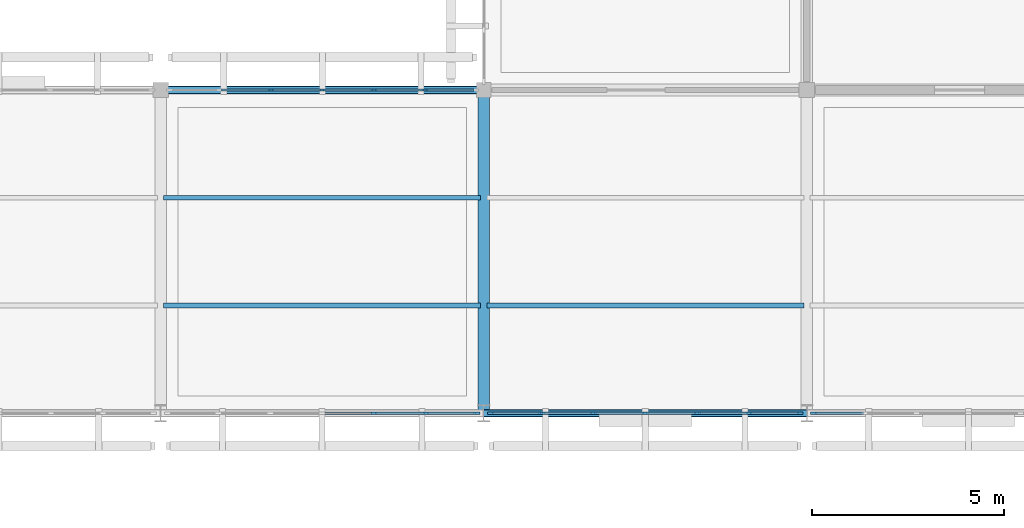
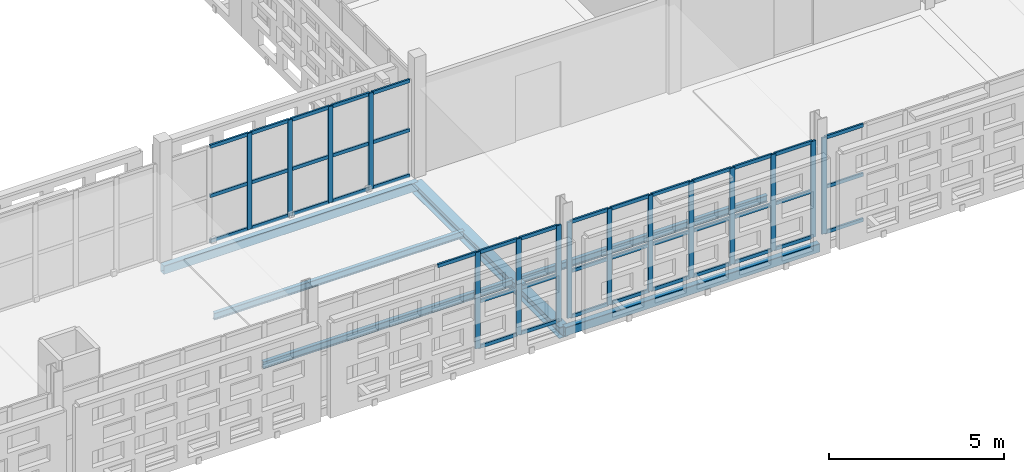
# One storey, part 47 of 166: 58 members, 6 beams, 4 elements without a shape of their own.
"""IFC4 building model written with IfcOpenShell, lengths in metres."""

from ifc_helpers import new_model, si_unit, direction, frame, origin, origin_2d, place, context, subcontext, project, spatial, rectangle, hollow_rectangle, i_section, extrude, material, layer, layer_set, material_profile, profile_set, type_object, element, aggregate, save


model = new_model("IFC4")

# Units and contexts
model_context = context("Model", 3, precision=1e-05, world=origin(), true_north=direction((0.0, 1.0)))
body_context = subcontext(model_context, "Body", "Model", "MODEL_VIEW")
ifc_project = project(units=[si_unit("LENGTHUNIT", "METRE"), si_unit("AREAUNIT", "SQUARE_METRE"), si_unit("VOLUMEUNIT", "CUBIC_METRE"), si_unit("PLANEANGLEUNIT", "RADIAN"), si_unit("MASSUNIT", "GRAM", prefix="KILO")], contexts=[model_context])

# Site, building, storey
site_placement = place(None, origin())
site = spatial("IfcSite", under=ifc_project, at=site_placement, CompositionType="ELEMENT")
building_placement = place(site_placement, origin())
building = spatial("IfcBuilding", under=site, at=building_placement, Name="Varnapada Polytechnic", CompositionType="ELEMENT")
storey_placement = place(building_placement, frame((0.0, 0.0, 9.60009765625)))
storey = spatial("IfcBuildingStorey", under=building, at=storey_placement, Name="L02", CompositionType="ELEMENT", Elevation=9.60009765625)

# Curtain wall, members
ifc_material_1 = material(Name="Double low-E laminated glass", Category="glass")
ifc_layer_1 = layer(ifc_material_1, 0.159912109375)
ifc_layer_set_1 = layer_set([ifc_layer_1], Name="Double low-E laminated glass")
curtain_wall_type_1 = type_object("IfcCurtainWallType", Name="Curtain Wall CW-01", PredefinedType="NOTDEFINED", material=ifc_layer_set_1)
curtain_wall_1_placement = place(storey_placement, origin())
curtain_wall_1 = element("IfcCurtainWall", 1, at=curtain_wall_1_placement, inside=storey, type_object=curtain_wall_type_1, Name="L02 unitised curtain wall CW-01 (173)", PredefinedType="NOTDEFINED")
ifc_material_2 = material(Name="Anodised aluminium", Category="aluminium")
ifc_material_profile_1 = material_profile(ifc_material_2, rectangle(XDim=0.06005859375, YDim=0.159912109375, at=origin_2d()), Name="ALU M60x160")
ifc_profile_set_1 = profile_set([ifc_material_profile_1], Name="Anodised aluminium")
member_type_1 = type_object("IfcMemberType", Name="Mullion M-01", PredefinedType="MULLION", material=ifc_profile_set_1)
member_1_placement = place(storey_placement, frame((117.419921875, 84.0, 0.0), z_axis=(0.0, 0.0, 1.0), x_axis=(0.0, -1.0, 0.0)))
member_1 = element("IfcMember", 2, at=member_1_placement, type_object=member_type_1, Name="CW-01 mullion 1", PredefinedType="MULLION", context=body_context, shape_type="SweptSolid", body=[
    extrude(rectangle(XDim=0.06005859375, YDim=0.159912109375, at=origin_2d()), origin(), (0.0, 0.0, 1.0), 3.35986328125),
])
member_2_placement = place(storey_placement, frame((116.10009765625, 84.0, 0.0), z_axis=(0.0, 0.0, 1.0), x_axis=(0.0, -1.0, 0.0)))
member_2 = element("IfcMember", 3, at=member_2_placement, type_object=member_type_1, Name="CW-01 mullion 2", PredefinedType="MULLION", context=body_context, shape_type="SweptSolid", body=[
    extrude(rectangle(XDim=0.06005859375, YDim=0.159912109375, at=origin_2d()), origin(), (0.0, 0.0, 1.0), 3.35986328125),
])
member_3_placement = place(storey_placement, frame((114.75, 84.0, 0.0), z_axis=(0.0, 0.0, 1.0), x_axis=(0.0, -1.0, 0.0)))
member_3 = element("IfcMember", 4, at=member_3_placement, type_object=member_type_1, Name="CW-01 mullion 3", PredefinedType="MULLION", context=body_context, shape_type="SweptSolid", body=[
    extrude(rectangle(XDim=0.06005859375, YDim=0.159912109375, at=origin_2d()), origin(), (0.0, 0.0, 1.0), 3.35986328125),
])

ifc_layer_2 = layer(ifc_material_1, 0.159912109375)
ifc_layer_set_2 = layer_set([ifc_layer_2], Name="Double low-E laminated glass")
curtain_wall_type_2 = type_object("IfcCurtainWallType", Name="Curtain Wall CW-02", PredefinedType="NOTDEFINED", material=ifc_layer_set_2)
curtain_wall_2_placement = place(storey_placement, origin())
curtain_wall_2 = element("IfcCurtainWall", 5, at=curtain_wall_2_placement, inside=storey, type_object=curtain_wall_type_2, Name="L02 unitised curtain wall CW-02 (174)", PredefinedType="NOTDEFINED")
member_4_placement = place(storey_placement, frame((112.070068359375, 92.39990234375, 0.0), z_axis=(0.0, 0.0, 1.0), x_axis=(0.0, 1.0, 0.0)))
member_4 = element("IfcMember", 6, at=member_4_placement, type_object=member_type_1, Name="CW-02 mullion 3", PredefinedType="MULLION", context=body_context, shape_type="SweptSolid", body=[
    extrude(rectangle(XDim=0.06005859375, YDim=0.159912109375, at=origin_2d()), origin(), (0.0, 0.0, 1.0), 3.35986328125),
])
member_5_placement = place(storey_placement, frame((113.405029296875, 92.39990234375, 0.0), z_axis=(0.0, 0.0, 1.0), x_axis=(0.0, 1.0, 0.0)))
member_5 = element("IfcMember", 7, at=member_5_placement, type_object=member_type_1, Name="CW-02 mullion 4", PredefinedType="MULLION", context=body_context, shape_type="SweptSolid", body=[
    extrude(rectangle(XDim=0.06005859375, YDim=0.159912109375, at=origin_2d()), origin(), (0.0, 0.0, 1.0), 3.35986328125),
])
member_6_placement = place(storey_placement, frame((114.739990234375, 92.39990234375, 0.0), z_axis=(0.0, 0.0, 1.0), x_axis=(0.0, 1.0, 0.0)))
member_6 = element("IfcMember", 8, at=member_6_placement, type_object=member_type_1, Name="CW-02 mullion 5", PredefinedType="MULLION", context=body_context, shape_type="SweptSolid", body=[
    extrude(rectangle(XDim=0.06005859375, YDim=0.159912109375, at=origin_2d()), origin(), (0.0, 0.0, 1.0), 3.35986328125),
])
member_7_placement = place(storey_placement, frame((116.074951171875, 92.39990234375, 0.0), z_axis=(0.0, 0.0, 1.0), x_axis=(0.0, 1.0, 0.0)))
member_7 = element("IfcMember", 9, at=member_7_placement, type_object=member_type_1, Name="CW-02 mullion 6", PredefinedType="MULLION", context=body_context, shape_type="SweptSolid", body=[
    extrude(rectangle(XDim=0.06005859375, YDim=0.159912109375, at=origin_2d()), origin(), (0.0, 0.0, 1.0), 3.35986328125),
])

curtain_wall_3_placement = place(storey_placement, origin())
curtain_wall_3 = element("IfcCurtainWall", 10, at=curtain_wall_3_placement, inside=storey, type_object=curtain_wall_type_1, Name="L02 unitised curtain wall CW-01 (175)", PredefinedType="NOTDEFINED")
member_8_placement = place(storey_placement, frame((125.820068359375, 84.0, 0.0), z_axis=(0.0, 0.0, 1.0), x_axis=(0.0, -1.0, 0.0)))
member_8 = element("IfcMember", 11, at=member_8_placement, type_object=member_type_1, Name="CW-01 mullion 1", PredefinedType="MULLION", context=body_context, shape_type="SweptSolid", body=[
    extrude(rectangle(XDim=0.06005859375, YDim=0.159912109375, at=origin_2d()), origin(), (0.0, 0.0, 1.0), 3.35986328125),
])
member_9_placement = place(storey_placement, frame((124.5, 84.0, 0.0), z_axis=(0.0, 0.0, 1.0), x_axis=(0.0, -1.0, 0.0)))
member_9 = element("IfcMember", 12, at=member_9_placement, type_object=member_type_1, Name="CW-01 mullion 2", PredefinedType="MULLION", context=body_context, shape_type="SweptSolid", body=[
    extrude(rectangle(XDim=0.06005859375, YDim=0.159912109375, at=origin_2d()), origin(), (0.0, 0.0, 1.0), 3.35986328125),
])
member_10_placement = place(storey_placement, frame((123.14990234375, 84.0, 0.0), z_axis=(0.0, 0.0, 1.0), x_axis=(0.0, -1.0, 0.0)))
member_10 = element("IfcMember", 13, at=member_10_placement, type_object=member_type_1, Name="CW-01 mullion 3", PredefinedType="MULLION", context=body_context, shape_type="SweptSolid", body=[
    extrude(rectangle(XDim=0.06005859375, YDim=0.159912109375, at=origin_2d()), origin(), (0.0, 0.0, 1.0), 3.35986328125),
])
member_11_placement = place(storey_placement, frame((121.800048828125, 84.0, 0.0), z_axis=(0.0, 0.0, 1.0), x_axis=(0.0, -1.0, 0.0)))
member_11 = element("IfcMember", 14, at=member_11_placement, type_object=member_type_1, Name="CW-01 mullion 4", PredefinedType="MULLION", context=body_context, shape_type="SweptSolid", body=[
    extrude(rectangle(XDim=0.06005859375, YDim=0.159912109375, at=origin_2d()), origin(), (0.0, 0.0, 1.0), 3.35986328125),
])
member_12_placement = place(storey_placement, frame((120.449951171875, 84.0, 0.0), z_axis=(0.0, 0.0, 1.0), x_axis=(0.0, -1.0, 0.0)))
member_12 = element("IfcMember", 15, at=member_12_placement, type_object=member_type_1, Name="CW-01 mullion 5", PredefinedType="MULLION", context=body_context, shape_type="SweptSolid", body=[
    extrude(rectangle(XDim=0.06005859375, YDim=0.159912109375, at=origin_2d()), origin(), (0.0, 0.0, 1.0), 3.35986328125),
])
member_13_placement = place(storey_placement, frame((119.10009765625, 84.0, 0.0), z_axis=(0.0, 0.0, 1.0), x_axis=(0.0, -1.0, 0.0)))
member_13 = element("IfcMember", 16, at=member_13_placement, type_object=member_type_1, Name="CW-01 mullion 6", PredefinedType="MULLION", context=body_context, shape_type="SweptSolid", body=[
    extrude(rectangle(XDim=0.06005859375, YDim=0.159912109375, at=origin_2d()), origin(), (0.0, 0.0, 1.0), 3.35986328125),
])
member_14_placement = place(storey_placement, frame((117.780029296875, 84.0, 0.0), z_axis=(0.0, 0.0, 1.0), x_axis=(0.0, -1.0, 0.0)))
member_14 = element("IfcMember", 17, at=member_14_placement, type_object=member_type_1, Name="CW-01 mullion 7", PredefinedType="MULLION", context=body_context, shape_type="SweptSolid", body=[
    extrude(rectangle(XDim=0.06005859375, YDim=0.159912109375, at=origin_2d()), origin(), (0.0, 0.0, 1.0), 3.35986328125),
])

# Curtain wall, member
curtain_wall_4_placement = place(storey_placement, origin())
curtain_wall_4 = element("IfcCurtainWall", 18, at=curtain_wall_4_placement, inside=storey, type_object=curtain_wall_type_1, Name="L02 unitised curtain wall CW-01 (180)", PredefinedType="NOTDEFINED")
member_15_placement = place(storey_placement, frame((126.179931640625, 84.0, 0.0), z_axis=(0.0, 0.0, 1.0), x_axis=(0.0, -1.0, 0.0)))
member_15 = element("IfcMember", 19, at=member_15_placement, type_object=member_type_1, Name="CW-01 mullion 7", PredefinedType="MULLION", context=body_context, shape_type="SweptSolid", body=[
    extrude(rectangle(XDim=0.06005859375, YDim=0.159912109375, at=origin_2d()), origin(), (0.0, 0.0, 1.0), 3.35986328125),
])

# Beam
ifc_material_3 = material(Name="Steel S355", Category="steel")
ifc_material_profile_2 = material_profile(ifc_material_3, i_section(OverallWidth=0.300048828125, OverallDepth=0.389892578125, WebThickness=0.010986328125, FlangeThickness=0.01904296875, FilletRadius=0.027099609375, at=origin_2d()), Name="HEA 400")
ifc_profile_set_2 = profile_set([ifc_material_profile_2], Name="Steel S355")
beam_type_1 = type_object("IfcBeamType", Name="Steel roof primary girder SG-01 (HEA 400)", PredefinedType="BEAM", material=ifc_profile_set_2)
beam_1_placement = place(storey_placement, frame((117.60009765625, 84.0, -0.43505859375), z_axis=(0.0, 1.0, 0.0), x_axis=(-1.0, 0.0, 0.0)))
element("IfcBeam", 20, at=beam_1_placement, inside=storey, type_object=beam_type_1, Name="L02 beam Y 11-12 at X15", PredefinedType="BEAM", context=body_context, shape_type="SweptSolid", body=[
    extrude(i_section(OverallWidth=0.300048828125, OverallDepth=0.389892578125, WebThickness=0.010986328125, FlangeThickness=0.01904296875, FilletRadius=0.027099609375, at=origin_2d()), origin(), (0.0, 0.0, 1.0), 8.39990234375),
])

# Member
ifc_material_profile_3 = material_profile(ifc_material_2, rectangle(XDim=0.06005859375, YDim=0.1201171875, at=origin_2d()), Name="ALU T60x120")
ifc_profile_set_3 = profile_set([ifc_material_profile_3], Name="Anodised aluminium")
member_type_2 = type_object("IfcMemberType", Name="Transom T-01", PredefinedType="USERDEFINED", material=ifc_profile_set_3)
member_16_placement = place(storey_placement, frame((117.389892578125, 84.0, 0.02978515625), z_axis=(-1.0, 0.0, 0.0), x_axis=(0.0, -1.0, 0.0)))
member_16 = element("IfcMember", 21, at=member_16_placement, type_object=member_type_2, Name="CW-01 transom 1.1", ObjectType="TRANSOM", PredefinedType="USERDEFINED", context=body_context, shape_type="SweptSolid", body=[
    extrude(rectangle(XDim=0.06005859375, YDim=0.1201171875, at=origin_2d()), origin(), (0.0, 0.0, 1.0), 1.260009765625),
])

member_17_placement = place(storey_placement, frame((117.389892578125, 84.0, 1.61279296875), z_axis=(-1.0, 0.0, 0.0), x_axis=(0.0, -1.0, 0.0)))
member_17 = element("IfcMember", 22, at=member_17_placement, type_object=member_type_2, Name="CW-01 transom 1.2", ObjectType="TRANSOM", PredefinedType="USERDEFINED", context=body_context, shape_type="SweptSolid", body=[
    extrude(rectangle(XDim=0.06005859375, YDim=0.1201171875, at=origin_2d()), origin(), (0.0, 0.0, 1.0), 1.260009765625),
])

member_18_placement = place(storey_placement, frame((117.389892578125, 84.0, 3.329833984375), z_axis=(-1.0, 0.0, 0.0), x_axis=(0.0, -1.0, 0.0)))
member_18 = element("IfcMember", 23, at=member_18_placement, type_object=member_type_2, Name="CW-01 transom 1.3", ObjectType="TRANSOM", PredefinedType="USERDEFINED", context=body_context, shape_type="SweptSolid", body=[
    extrude(rectangle(XDim=0.06005859375, YDim=0.1201171875, at=origin_2d()), origin(), (0.0, 0.0, 1.0), 1.260009765625),
])

member_19_placement = place(storey_placement, frame((116.070068359375, 84.0, 0.02978515625), z_axis=(-1.0, 0.0, 0.0), x_axis=(0.0, -1.0, 0.0)))
member_19 = element("IfcMember", 24, at=member_19_placement, type_object=member_type_2, Name="CW-01 transom 2.1", ObjectType="TRANSOM", PredefinedType="USERDEFINED", context=body_context, shape_type="SweptSolid", body=[
    extrude(rectangle(XDim=0.06005859375, YDim=0.1201171875, at=origin_2d()), origin(), (0.0, 0.0, 1.0), 1.2900390625),
])

member_20_placement = place(storey_placement, frame((116.070068359375, 84.0, 1.61279296875), z_axis=(-1.0, 0.0, 0.0), x_axis=(0.0, -1.0, 0.0)))
member_20 = element("IfcMember", 25, at=member_20_placement, type_object=member_type_2, Name="CW-01 transom 2.2", ObjectType="TRANSOM", PredefinedType="USERDEFINED", context=body_context, shape_type="SweptSolid", body=[
    extrude(rectangle(XDim=0.06005859375, YDim=0.1201171875, at=origin_2d()), origin(), (0.0, 0.0, 1.0), 1.2900390625),
])

member_21_placement = place(storey_placement, frame((116.070068359375, 84.0, 3.329833984375), z_axis=(-1.0, 0.0, 0.0), x_axis=(0.0, -1.0, 0.0)))
member_21 = element("IfcMember", 26, at=member_21_placement, type_object=member_type_2, Name="CW-01 transom 2.3", ObjectType="TRANSOM", PredefinedType="USERDEFINED", context=body_context, shape_type="SweptSolid", body=[
    extrude(rectangle(XDim=0.06005859375, YDim=0.1201171875, at=origin_2d()), origin(), (0.0, 0.0, 1.0), 1.2900390625),
])

member_22_placement = place(storey_placement, frame((114.719970703125, 84.0, 3.329833984375), z_axis=(-1.0, 0.0, 0.0), x_axis=(0.0, -1.0, 0.0)))
member_22 = element("IfcMember", 27, at=member_22_placement, type_object=member_type_2, Name="CW-01 transom 3.3", ObjectType="TRANSOM", PredefinedType="USERDEFINED", context=body_context, shape_type="SweptSolid", body=[
    extrude(rectangle(XDim=0.06005859375, YDim=0.1201171875, at=origin_2d()), origin(), (0.0, 0.0, 1.0), 1.2900390625),
])

aggregate(curtain_wall_1, [member_1, member_2, member_3, member_16, member_17, member_18, member_19, member_20, member_21, member_22])

member_23_placement = place(storey_placement, frame((110.764892578125, 92.39990234375, 0.02978515625), z_axis=(1.0, 0.0, 0.0), x_axis=(0.0, 1.0, 0.0)))
member_23 = element("IfcMember", 28, at=member_23_placement, type_object=member_type_2, Name="CW-02 transom 2.1", ObjectType="TRANSOM", PredefinedType="USERDEFINED", context=body_context, shape_type="SweptSolid", body=[
    extrude(rectangle(XDim=0.06005859375, YDim=0.1201171875, at=origin_2d()), origin(), (0.0, 0.0, 1.0), 1.275146484375),
])

member_24_placement = place(storey_placement, frame((110.764892578125, 92.39990234375, 1.61279296875), z_axis=(1.0, 0.0, 0.0), x_axis=(0.0, 1.0, 0.0)))
member_24 = element("IfcMember", 29, at=member_24_placement, type_object=member_type_2, Name="CW-02 transom 2.2", ObjectType="TRANSOM", PredefinedType="USERDEFINED", context=body_context, shape_type="SweptSolid", body=[
    extrude(rectangle(XDim=0.06005859375, YDim=0.1201171875, at=origin_2d()), origin(), (0.0, 0.0, 1.0), 1.275146484375),
])

member_25_placement = place(storey_placement, frame((110.764892578125, 92.39990234375, 3.329833984375), z_axis=(1.0, 0.0, 0.0), x_axis=(0.0, 1.0, 0.0)))
member_25 = element("IfcMember", 30, at=member_25_placement, type_object=member_type_2, Name="CW-02 transom 2.3", ObjectType="TRANSOM", PredefinedType="USERDEFINED", context=body_context, shape_type="SweptSolid", body=[
    extrude(rectangle(XDim=0.06005859375, YDim=0.1201171875, at=origin_2d()), origin(), (0.0, 0.0, 1.0), 1.275146484375),
])

member_26_placement = place(storey_placement, frame((112.10009765625, 92.39990234375, 0.02978515625), z_axis=(1.0, 0.0, 0.0), x_axis=(0.0, 1.0, 0.0)))
member_26 = element("IfcMember", 31, at=member_26_placement, type_object=member_type_2, Name="CW-02 transom 3.1", ObjectType="TRANSOM", PredefinedType="USERDEFINED", context=body_context, shape_type="SweptSolid", body=[
    extrude(rectangle(XDim=0.06005859375, YDim=0.1201171875, at=origin_2d()), origin(), (0.0, 0.0, 1.0), 1.27490234375),
])

member_27_placement = place(storey_placement, frame((112.10009765625, 92.39990234375, 1.61279296875), z_axis=(1.0, 0.0, 0.0), x_axis=(0.0, 1.0, 0.0)))
member_27 = element("IfcMember", 32, at=member_27_placement, type_object=member_type_2, Name="CW-02 transom 3.2", ObjectType="TRANSOM", PredefinedType="USERDEFINED", context=body_context, shape_type="SweptSolid", body=[
    extrude(rectangle(XDim=0.06005859375, YDim=0.1201171875, at=origin_2d()), origin(), (0.0, 0.0, 1.0), 1.27490234375),
])

member_28_placement = place(storey_placement, frame((112.10009765625, 92.39990234375, 3.329833984375), z_axis=(1.0, 0.0, 0.0), x_axis=(0.0, 1.0, 0.0)))
member_28 = element("IfcMember", 33, at=member_28_placement, type_object=member_type_2, Name="CW-02 transom 3.3", ObjectType="TRANSOM", PredefinedType="USERDEFINED", context=body_context, shape_type="SweptSolid", body=[
    extrude(rectangle(XDim=0.06005859375, YDim=0.1201171875, at=origin_2d()), origin(), (0.0, 0.0, 1.0), 1.27490234375),
])

member_29_placement = place(storey_placement, frame((113.43505859375, 92.39990234375, 0.02978515625), z_axis=(1.0, 0.0, 0.0), x_axis=(0.0, 1.0, 0.0)))
member_29 = element("IfcMember", 34, at=member_29_placement, type_object=member_type_2, Name="CW-02 transom 4.1", ObjectType="TRANSOM", PredefinedType="USERDEFINED", context=body_context, shape_type="SweptSolid", body=[
    extrude(rectangle(XDim=0.06005859375, YDim=0.1201171875, at=origin_2d()), origin(), (0.0, 0.0, 1.0), 1.27490234375),
])

member_30_placement = place(storey_placement, frame((113.43505859375, 92.39990234375, 1.61279296875), z_axis=(1.0, 0.0, 0.0), x_axis=(0.0, 1.0, 0.0)))
member_30 = element("IfcMember", 35, at=member_30_placement, type_object=member_type_2, Name="CW-02 transom 4.2", ObjectType="TRANSOM", PredefinedType="USERDEFINED", context=body_context, shape_type="SweptSolid", body=[
    extrude(rectangle(XDim=0.06005859375, YDim=0.1201171875, at=origin_2d()), origin(), (0.0, 0.0, 1.0), 1.27490234375),
])

member_31_placement = place(storey_placement, frame((113.43505859375, 92.39990234375, 3.329833984375), z_axis=(1.0, 0.0, 0.0), x_axis=(0.0, 1.0, 0.0)))
member_31 = element("IfcMember", 36, at=member_31_placement, type_object=member_type_2, Name="CW-02 transom 4.3", ObjectType="TRANSOM", PredefinedType="USERDEFINED", context=body_context, shape_type="SweptSolid", body=[
    extrude(rectangle(XDim=0.06005859375, YDim=0.1201171875, at=origin_2d()), origin(), (0.0, 0.0, 1.0), 1.27490234375),
])

member_32_placement = place(storey_placement, frame((114.77001953125, 92.39990234375, 0.02978515625), z_axis=(1.0, 0.0, 0.0), x_axis=(0.0, 1.0, 0.0)))
member_32 = element("IfcMember", 37, at=member_32_placement, type_object=member_type_2, Name="CW-02 transom 5.1", ObjectType="TRANSOM", PredefinedType="USERDEFINED", context=body_context, shape_type="SweptSolid", body=[
    extrude(rectangle(XDim=0.06005859375, YDim=0.1201171875, at=origin_2d()), origin(), (0.0, 0.0, 1.0), 1.27490234375),
])

member_33_placement = place(storey_placement, frame((114.77001953125, 92.39990234375, 1.61279296875), z_axis=(1.0, 0.0, 0.0), x_axis=(0.0, 1.0, 0.0)))
member_33 = element("IfcMember", 38, at=member_33_placement, type_object=member_type_2, Name="CW-02 transom 5.2", ObjectType="TRANSOM", PredefinedType="USERDEFINED", context=body_context, shape_type="SweptSolid", body=[
    extrude(rectangle(XDim=0.06005859375, YDim=0.1201171875, at=origin_2d()), origin(), (0.0, 0.0, 1.0), 1.27490234375),
])

member_34_placement = place(storey_placement, frame((114.77001953125, 92.39990234375, 3.329833984375), z_axis=(1.0, 0.0, 0.0), x_axis=(0.0, 1.0, 0.0)))
member_34 = element("IfcMember", 39, at=member_34_placement, type_object=member_type_2, Name="CW-02 transom 5.3", ObjectType="TRANSOM", PredefinedType="USERDEFINED", context=body_context, shape_type="SweptSolid", body=[
    extrude(rectangle(XDim=0.06005859375, YDim=0.1201171875, at=origin_2d()), origin(), (0.0, 0.0, 1.0), 1.27490234375),
])

member_35_placement = place(storey_placement, frame((116.10498046875, 92.39990234375, 0.02978515625), z_axis=(1.0, 0.0, 0.0), x_axis=(0.0, 1.0, 0.0)))
member_35 = element("IfcMember", 40, at=member_35_placement, type_object=member_type_2, Name="CW-02 transom 6.1", ObjectType="TRANSOM", PredefinedType="USERDEFINED", context=body_context, shape_type="SweptSolid", body=[
    extrude(rectangle(XDim=0.06005859375, YDim=0.1201171875, at=origin_2d()), origin(), (0.0, 0.0, 1.0), 1.2451171875),
])

member_36_placement = place(storey_placement, frame((116.10498046875, 92.39990234375, 1.61279296875), z_axis=(1.0, 0.0, 0.0), x_axis=(0.0, 1.0, 0.0)))
member_36 = element("IfcMember", 41, at=member_36_placement, type_object=member_type_2, Name="CW-02 transom 6.2", ObjectType="TRANSOM", PredefinedType="USERDEFINED", context=body_context, shape_type="SweptSolid", body=[
    extrude(rectangle(XDim=0.06005859375, YDim=0.1201171875, at=origin_2d()), origin(), (0.0, 0.0, 1.0), 1.2451171875),
])

member_37_placement = place(storey_placement, frame((116.10498046875, 92.39990234375, 3.329833984375), z_axis=(1.0, 0.0, 0.0), x_axis=(0.0, 1.0, 0.0)))
member_37 = element("IfcMember", 42, at=member_37_placement, type_object=member_type_2, Name="CW-02 transom 6.3", ObjectType="TRANSOM", PredefinedType="USERDEFINED", context=body_context, shape_type="SweptSolid", body=[
    extrude(rectangle(XDim=0.06005859375, YDim=0.1201171875, at=origin_2d()), origin(), (0.0, 0.0, 1.0), 1.2451171875),
])

aggregate(curtain_wall_2, [member_4, member_5, member_6, member_7, member_23, member_24, member_25, member_26, member_27, member_28, member_29, member_30, member_31, member_32, member_33, member_34, member_35, member_36, member_37])

member_38_placement = place(storey_placement, frame((125.7900390625, 84.0, 0.02978515625), z_axis=(-1.0, 0.0, 0.0), x_axis=(0.0, -1.0, 0.0)))
member_38 = element("IfcMember", 43, at=member_38_placement, type_object=member_type_2, Name="CW-01 transom 1.1", ObjectType="TRANSOM", PredefinedType="USERDEFINED", context=body_context, shape_type="SweptSolid", body=[
    extrude(rectangle(XDim=0.06005859375, YDim=0.1201171875, at=origin_2d()), origin(), (0.0, 0.0, 1.0), 1.260009765625),
])

member_39_placement = place(storey_placement, frame((125.7900390625, 84.0, 1.61279296875), z_axis=(-1.0, 0.0, 0.0), x_axis=(0.0, -1.0, 0.0)))
member_39 = element("IfcMember", 44, at=member_39_placement, type_object=member_type_2, Name="CW-01 transom 1.2", ObjectType="TRANSOM", PredefinedType="USERDEFINED", context=body_context, shape_type="SweptSolid", body=[
    extrude(rectangle(XDim=0.06005859375, YDim=0.1201171875, at=origin_2d()), origin(), (0.0, 0.0, 1.0), 1.260009765625),
])

member_40_placement = place(storey_placement, frame((125.7900390625, 84.0, 3.329833984375), z_axis=(-1.0, 0.0, 0.0), x_axis=(0.0, -1.0, 0.0)))
member_40 = element("IfcMember", 45, at=member_40_placement, type_object=member_type_2, Name="CW-01 transom 1.3", ObjectType="TRANSOM", PredefinedType="USERDEFINED", context=body_context, shape_type="SweptSolid", body=[
    extrude(rectangle(XDim=0.06005859375, YDim=0.1201171875, at=origin_2d()), origin(), (0.0, 0.0, 1.0), 1.260009765625),
])

member_41_placement = place(storey_placement, frame((124.469970703125, 84.0, 0.02978515625), z_axis=(-1.0, 0.0, 0.0), x_axis=(0.0, -1.0, 0.0)))
member_41 = element("IfcMember", 46, at=member_41_placement, type_object=member_type_2, Name="CW-01 transom 2.1", ObjectType="TRANSOM", PredefinedType="USERDEFINED", context=body_context, shape_type="SweptSolid", body=[
    extrude(rectangle(XDim=0.06005859375, YDim=0.1201171875, at=origin_2d()), origin(), (0.0, 0.0, 1.0), 1.2900390625),
])

member_42_placement = place(storey_placement, frame((124.469970703125, 84.0, 1.61279296875), z_axis=(-1.0, 0.0, 0.0), x_axis=(0.0, -1.0, 0.0)))
member_42 = element("IfcMember", 47, at=member_42_placement, type_object=member_type_2, Name="CW-01 transom 2.2", ObjectType="TRANSOM", PredefinedType="USERDEFINED", context=body_context, shape_type="SweptSolid", body=[
    extrude(rectangle(XDim=0.06005859375, YDim=0.1201171875, at=origin_2d()), origin(), (0.0, 0.0, 1.0), 1.2900390625),
])

member_43_placement = place(storey_placement, frame((124.469970703125, 84.0, 3.329833984375), z_axis=(-1.0, 0.0, 0.0), x_axis=(0.0, -1.0, 0.0)))
member_43 = element("IfcMember", 48, at=member_43_placement, type_object=member_type_2, Name="CW-01 transom 2.3", ObjectType="TRANSOM", PredefinedType="USERDEFINED", context=body_context, shape_type="SweptSolid", body=[
    extrude(rectangle(XDim=0.06005859375, YDim=0.1201171875, at=origin_2d()), origin(), (0.0, 0.0, 1.0), 1.2900390625),
])

member_44_placement = place(storey_placement, frame((123.1201171875, 84.0, 0.02978515625), z_axis=(-1.0, 0.0, 0.0), x_axis=(0.0, -1.0, 0.0)))
member_44 = element("IfcMember", 49, at=member_44_placement, type_object=member_type_2, Name="CW-01 transom 3.1", ObjectType="TRANSOM", PredefinedType="USERDEFINED", context=body_context, shape_type="SweptSolid", body=[
    extrude(rectangle(XDim=0.06005859375, YDim=0.1201171875, at=origin_2d()), origin(), (0.0, 0.0, 1.0), 1.2900390625),
])

member_45_placement = place(storey_placement, frame((123.1201171875, 84.0, 1.61279296875), z_axis=(-1.0, 0.0, 0.0), x_axis=(0.0, -1.0, 0.0)))
member_45 = element("IfcMember", 50, at=member_45_placement, type_object=member_type_2, Name="CW-01 transom 3.2", ObjectType="TRANSOM", PredefinedType="USERDEFINED", context=body_context, shape_type="SweptSolid", body=[
    extrude(rectangle(XDim=0.06005859375, YDim=0.1201171875, at=origin_2d()), origin(), (0.0, 0.0, 1.0), 1.2900390625),
])

member_46_placement = place(storey_placement, frame((123.1201171875, 84.0, 3.329833984375), z_axis=(-1.0, 0.0, 0.0), x_axis=(0.0, -1.0, 0.0)))
member_46 = element("IfcMember", 51, at=member_46_placement, type_object=member_type_2, Name="CW-01 transom 3.3", ObjectType="TRANSOM", PredefinedType="USERDEFINED", context=body_context, shape_type="SweptSolid", body=[
    extrude(rectangle(XDim=0.06005859375, YDim=0.1201171875, at=origin_2d()), origin(), (0.0, 0.0, 1.0), 1.2900390625),
])

member_47_placement = place(storey_placement, frame((121.77001953125, 84.0, 0.02978515625), z_axis=(-1.0, 0.0, 0.0), x_axis=(0.0, -1.0, 0.0)))
member_47 = element("IfcMember", 52, at=member_47_placement, type_object=member_type_2, Name="CW-01 transom 4.1", ObjectType="TRANSOM", PredefinedType="USERDEFINED", context=body_context, shape_type="SweptSolid", body=[
    extrude(rectangle(XDim=0.06005859375, YDim=0.1201171875, at=origin_2d()), origin(), (0.0, 0.0, 1.0), 1.2900390625),
])

member_48_placement = place(storey_placement, frame((121.77001953125, 84.0, 1.61279296875), z_axis=(-1.0, 0.0, 0.0), x_axis=(0.0, -1.0, 0.0)))
member_48 = element("IfcMember", 53, at=member_48_placement, type_object=member_type_2, Name="CW-01 transom 4.2", ObjectType="TRANSOM", PredefinedType="USERDEFINED", context=body_context, shape_type="SweptSolid", body=[
    extrude(rectangle(XDim=0.06005859375, YDim=0.1201171875, at=origin_2d()), origin(), (0.0, 0.0, 1.0), 1.2900390625),
])

member_49_placement = place(storey_placement, frame((121.77001953125, 84.0, 3.329833984375), z_axis=(-1.0, 0.0, 0.0), x_axis=(0.0, -1.0, 0.0)))
member_49 = element("IfcMember", 54, at=member_49_placement, type_object=member_type_2, Name="CW-01 transom 4.3", ObjectType="TRANSOM", PredefinedType="USERDEFINED", context=body_context, shape_type="SweptSolid", body=[
    extrude(rectangle(XDim=0.06005859375, YDim=0.1201171875, at=origin_2d()), origin(), (0.0, 0.0, 1.0), 1.2900390625),
])

member_50_placement = place(storey_placement, frame((120.419921875, 84.0, 0.02978515625), z_axis=(-1.0, 0.0, 0.0), x_axis=(0.0, -1.0, 0.0)))
member_50 = element("IfcMember", 55, at=member_50_placement, type_object=member_type_2, Name="CW-01 transom 5.1", ObjectType="TRANSOM", PredefinedType="USERDEFINED", context=body_context, shape_type="SweptSolid", body=[
    extrude(rectangle(XDim=0.06005859375, YDim=0.1201171875, at=origin_2d()), origin(), (0.0, 0.0, 1.0), 1.2900390625),
])

member_51_placement = place(storey_placement, frame((120.419921875, 84.0, 1.61279296875), z_axis=(-1.0, 0.0, 0.0), x_axis=(0.0, -1.0, 0.0)))
member_51 = element("IfcMember", 56, at=member_51_placement, type_object=member_type_2, Name="CW-01 transom 5.2", ObjectType="TRANSOM", PredefinedType="USERDEFINED", context=body_context, shape_type="SweptSolid", body=[
    extrude(rectangle(XDim=0.06005859375, YDim=0.1201171875, at=origin_2d()), origin(), (0.0, 0.0, 1.0), 1.2900390625),
])

member_52_placement = place(storey_placement, frame((120.419921875, 84.0, 3.329833984375), z_axis=(-1.0, 0.0, 0.0), x_axis=(0.0, -1.0, 0.0)))
member_52 = element("IfcMember", 57, at=member_52_placement, type_object=member_type_2, Name="CW-01 transom 5.3", ObjectType="TRANSOM", PredefinedType="USERDEFINED", context=body_context, shape_type="SweptSolid", body=[
    extrude(rectangle(XDim=0.06005859375, YDim=0.1201171875, at=origin_2d()), origin(), (0.0, 0.0, 1.0), 1.2900390625),
])

member_53_placement = place(storey_placement, frame((119.070068359375, 84.0, 0.02978515625), z_axis=(-1.0, 0.0, 0.0), x_axis=(0.0, -1.0, 0.0)))
member_53 = element("IfcMember", 58, at=member_53_placement, type_object=member_type_2, Name="CW-01 transom 6.1", ObjectType="TRANSOM", PredefinedType="USERDEFINED", context=body_context, shape_type="SweptSolid", body=[
    extrude(rectangle(XDim=0.06005859375, YDim=0.1201171875, at=origin_2d()), origin(), (0.0, 0.0, 1.0), 1.260009765625),
])

member_54_placement = place(storey_placement, frame((119.070068359375, 84.0, 1.61279296875), z_axis=(-1.0, 0.0, 0.0), x_axis=(0.0, -1.0, 0.0)))
member_54 = element("IfcMember", 59, at=member_54_placement, type_object=member_type_2, Name="CW-01 transom 6.2", ObjectType="TRANSOM", PredefinedType="USERDEFINED", context=body_context, shape_type="SweptSolid", body=[
    extrude(rectangle(XDim=0.06005859375, YDim=0.1201171875, at=origin_2d()), origin(), (0.0, 0.0, 1.0), 1.260009765625),
])

member_55_placement = place(storey_placement, frame((119.070068359375, 84.0, 3.329833984375), z_axis=(-1.0, 0.0, 0.0), x_axis=(0.0, -1.0, 0.0)))
member_55 = element("IfcMember", 60, at=member_55_placement, type_object=member_type_2, Name="CW-01 transom 6.3", ObjectType="TRANSOM", PredefinedType="USERDEFINED", context=body_context, shape_type="SweptSolid", body=[
    extrude(rectangle(XDim=0.06005859375, YDim=0.1201171875, at=origin_2d()), origin(), (0.0, 0.0, 1.0), 1.260009765625),
])

aggregate(curtain_wall_3, [member_8, member_9, member_10, member_11, member_12, member_13, member_14, member_38, member_39, member_40, member_41, member_42, member_43, member_44, member_45, member_46, member_47, member_48, member_49, member_50, member_51, member_52, member_53, member_54, member_55])

member_56_placement = place(storey_placement, frame((127.469970703125, 84.0, 0.02978515625), z_axis=(-1.0, 0.0, 0.0), x_axis=(0.0, -1.0, 0.0)))
member_56 = element("IfcMember", 61, at=member_56_placement, type_object=member_type_2, Name="CW-01 transom 6.1", ObjectType="TRANSOM", PredefinedType="USERDEFINED", context=body_context, shape_type="SweptSolid", body=[
    extrude(rectangle(XDim=0.06005859375, YDim=0.1201171875, at=origin_2d()), origin(), (0.0, 0.0, 1.0), 1.260009765625),
])

member_57_placement = place(storey_placement, frame((127.469970703125, 84.0, 1.61279296875), z_axis=(-1.0, 0.0, 0.0), x_axis=(0.0, -1.0, 0.0)))
member_57 = element("IfcMember", 62, at=member_57_placement, type_object=member_type_2, Name="CW-01 transom 6.2", ObjectType="TRANSOM", PredefinedType="USERDEFINED", context=body_context, shape_type="SweptSolid", body=[
    extrude(rectangle(XDim=0.06005859375, YDim=0.1201171875, at=origin_2d()), origin(), (0.0, 0.0, 1.0), 1.260009765625),
])

member_58_placement = place(storey_placement, frame((127.469970703125, 84.0, 3.329833984375), z_axis=(-1.0, 0.0, 0.0), x_axis=(0.0, -1.0, 0.0)))
member_58 = element("IfcMember", 63, at=member_58_placement, type_object=member_type_2, Name="CW-01 transom 6.3", ObjectType="TRANSOM", PredefinedType="USERDEFINED", context=body_context, shape_type="SweptSolid", body=[
    extrude(rectangle(XDim=0.06005859375, YDim=0.1201171875, at=origin_2d()), origin(), (0.0, 0.0, 1.0), 1.260009765625),
])

aggregate(curtain_wall_4, [member_15, member_56, member_57, member_58])

# Beams
ifc_material_profile_4 = material_profile(ifc_material_3, i_section(OverallWidth=0.1201171875, OverallDepth=0.239990234375, WebThickness=0.006103515625, FlangeThickness=0.009765625, FilletRadius=0.014892578125, at=origin_2d()), Name="IPE 240")
ifc_profile_set_4 = profile_set([ifc_material_profile_4], Name="Steel S355")
beam_type_2 = type_object("IfcBeamType", Name="Workshop gallery composite joist SJ-01 (IPE 240)", PredefinedType="JOIST", material=ifc_profile_set_4)
for number, where, z_axis, x_axis, name in (
    (64, (109.280029296875, 86.800048828125, -0.360107421875), (1.0, 0.0, 0.0), (0.0, 1.0, 0.0), "L02 floor joist 14/11.1"),
    (65, (109.280029296875, 89.60009765625, -0.360107421875), (1.0, 0.0, 0.0), (0.0, 1.0, 0.0), "L02 floor joist 14/11.2"),
    (66, (117.679931640625, 86.800048828125, -0.360107421875), (1.0, 0.0, 0.0), (0.0, 1.0, 0.0), "L02 floor joist 15/11.1"),
):
    element("IfcBeam", number, at=place(storey_placement, frame(where, z_axis=z_axis, x_axis=x_axis)), inside=storey, type_object=beam_type_2, Name=name, PredefinedType="JOIST", context=body_context, shape_type="SweptSolid", body=[
        extrude(i_section(OverallWidth=0.1201171875, OverallDepth=0.239990234375, WebThickness=0.006103515625, FlangeThickness=0.009765625, FilletRadius=0.014892578125, at=origin_2d()), origin(), (0.0, 0.0, 1.0), 8.239990234375),
    ])
ifc_material_profile_5 = material_profile(ifc_material_3, hollow_rectangle(XDim=0.199951171875, YDim=0.300048828125, WallThickness=0.010009765625, InnerFilletRadius=0.010009765625, OuterFilletRadius=0.02001953125, at=origin_2d()), Name="RHS 300x200x10")
ifc_profile_set_5 = profile_set([ifc_material_profile_5], Name="Steel S355")
beam_type_3 = type_object("IfcBeamType", Name="Workshop steel spandrel tie SP-03 (RHS 300x200x10)", PredefinedType="SPANDREL", material=ifc_profile_set_5)
beam_2_placement = place(storey_placement, frame((109.199951171875, 92.39990234375, -0.39013671875), z_axis=(1.0, 0.0, 0.0), x_axis=(0.0, 1.0, 0.0)))
element("IfcBeam", 67, at=beam_2_placement, inside=storey, type_object=beam_type_3, Name="L02 beam X 14-15 at Y12", PredefinedType="SPANDREL", context=body_context, shape_type="SweptSolid", body=[
    extrude(hollow_rectangle(XDim=0.199951171875, YDim=0.300048828125, WallThickness=0.010009765625, InnerFilletRadius=0.010009765625, OuterFilletRadius=0.02001953125, at=origin_2d()), origin(), (0.0, 0.0, 1.0), 8.400146484375),
])
beam_3_placement = place(storey_placement, frame((117.60009765625, 84.0, -0.39013671875), z_axis=(1.0, 0.0, 0.0), x_axis=(0.0, 1.0, 0.0)))
element("IfcBeam", 68, at=beam_3_placement, inside=storey, type_object=beam_type_3, Name="L02 beam X 15-16 at Y11", PredefinedType="SPANDREL", context=body_context, shape_type="SweptSolid", body=[
    extrude(hollow_rectangle(XDim=0.199951171875, YDim=0.300048828125, WallThickness=0.010009765625, InnerFilletRadius=0.010009765625, OuterFilletRadius=0.02001953125, at=origin_2d()), origin(), (0.0, 0.0, 1.0), 8.39990234375),
])

save(model, "model.ifc")
